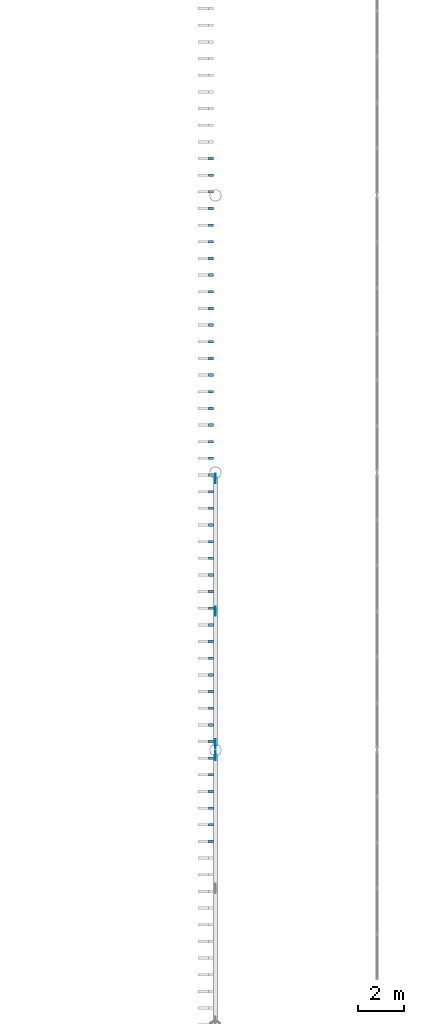
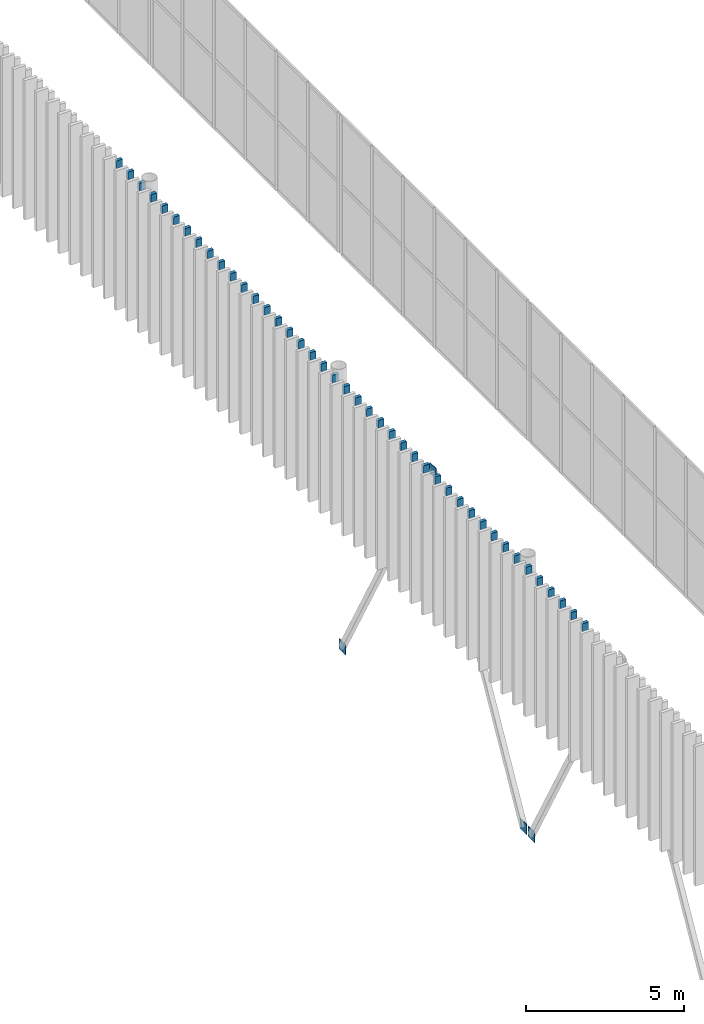
# One storey, part 133 of 170: 46 discrete accessories.
"""IFC4 building model written with IfcOpenShell, lengths in metres."""

from ifc_helpers import new_model, si_unit, direction, frame, origin, origin_2d, place, context, subcontext, project, spatial, rectangle, extrude, material, material_profile, profile_set, type_object, element, save


model = new_model("IFC4")

# Units and contexts
model_context = context("Model", 3, precision=1e-05, world=origin(), true_north=direction((0.0, 1.0)))
body_context = subcontext(model_context, "Body", "Model", "MODEL_VIEW")
ifc_project = project(units=[si_unit("LENGTHUNIT", "METRE"), si_unit("AREAUNIT", "SQUARE_METRE"), si_unit("VOLUMEUNIT", "CUBIC_METRE"), si_unit("PLANEANGLEUNIT", "RADIAN"), si_unit("MASSUNIT", "GRAM", prefix="KILO")], contexts=[model_context])

# Site, building, storey
site_placement = place(None, origin())
site = spatial("IfcSite", under=ifc_project, at=site_placement, CompositionType="ELEMENT")
building_placement = place(site_placement, origin())
building = spatial("IfcBuilding", under=site, at=building_placement, Name="Ravi Spectrum Wholesale Market", CompositionType="ELEMENT")
storey_placement = place(building_placement, frame((0.0, 0.0, 5.39990234375)))
storey = spatial("IfcBuildingStorey", under=building, at=storey_placement, Name="L01", CompositionType="ELEMENT", Elevation=5.39990234375)

# Discrete accessories
ifc_material_1 = material(Name="Steel S355", Category="steel")
discrete_accessory_type_1 = type_object("IfcDiscreteAccessoryType", Name="Fin bracket 120", PredefinedType="BRACKET", material=ifc_material_1)
for number, where, z_axis, x_axis, name in (
    (1, (29.800048828125, 139.5966796875, 4.89990234375), (0.0, 0.0, 1.0), (0.0, -1.0, 0.0), "Fin bracket B082"),
    (2, (29.800048828125, 138.87548828125, 4.89990234375), (0.0, 0.0, 1.0), (0.0, -1.0, 0.0), "Fin bracket B083"),
    (3, (29.800048828125, 138.154541015625, 4.89990234375), (0.0, 0.0, 1.0), (0.0, -1.0, 0.0), "Fin bracket B084"),
    (4, (29.800048828125, 137.43359375, 4.89990234375), (0.0, 0.0, 1.0), (0.0, -1.0, 0.0), "Fin bracket B085"),
    (5, (29.800048828125, 136.71240234375, 4.89990234375), (0.0, 0.0, 1.0), (0.0, -1.0, 0.0), "Fin bracket B086"),
    (6, (29.800048828125, 135.991455078125, 4.89990234375), (0.0, 0.0, 1.0), (0.0, -1.0, 0.0), "Fin bracket B087"),
    (7, (29.800048828125, 135.2705078125, 4.89990234375), (0.0, 0.0, 1.0), (0.0, -1.0, 0.0), "Fin bracket B088"),
    (8, (29.800048828125, 134.54931640625, 4.89990234375), (0.0, 0.0, 1.0), (0.0, -1.0, 0.0), "Fin bracket B089"),
    (9, (29.800048828125, 133.828369140625, 4.89990234375), (0.0, 0.0, 1.0), (0.0, -1.0, 0.0), "Fin bracket B090"),
    (10, (29.800048828125, 133.107177734375, 4.89990234375), (0.0, 0.0, 1.0), (0.0, -1.0, 0.0), "Fin bracket B091"),
    (11, (29.800048828125, 132.38623046875, 4.89990234375), (0.0, 0.0, 1.0), (0.0, -1.0, 0.0), "Fin bracket B092"),
    (12, (29.800048828125, 131.665283203125, 4.89990234375), (0.0, 0.0, 1.0), (0.0, -1.0, 0.0), "Fin bracket B093"),
    (13, (29.800048828125, 130.944091796875, 4.89990234375), (0.0, 0.0, 1.0), (0.0, -1.0, 0.0), "Fin bracket B094"),
    (14, (29.800048828125, 130.22314453125, 4.89990234375), (0.0, 0.0, 1.0), (0.0, -1.0, 0.0), "Fin bracket B095"),
    (15, (29.800048828125, 129.502197265625, 4.89990234375), (0.0, 0.0, 1.0), (0.0, -1.0, 0.0), "Fin bracket B096"),
    (16, (29.800048828125, 128.781005859375, 4.89990234375), (0.0, 0.0, 1.0), (0.0, -1.0, 0.0), "Fin bracket B097"),
    (17, (29.800048828125, 128.06005859375, 4.89990234375), (0.0, 0.0, 1.0), (0.0, -1.0, 0.0), "Fin bracket B098"),
    (18, (29.800048828125, 127.339111328125, 4.89990234375), (0.0, 0.0, 1.0), (0.0, -1.0, 0.0), "Fin bracket B099"),
    (19, (29.800048828125, 126.617919921875, 4.89990234375), (0.0, 0.0, 1.0), (0.0, -1.0, 0.0), "Fin bracket B100"),
    (20, (29.800048828125, 125.89697265625, 4.89990234375), (0.0, 0.0, 1.0), (0.0, -1.0, 0.0), "Fin bracket B101"),
    (21, (29.800048828125, 125.176025390625, 4.89990234375), (0.0, 0.0, 1.0), (0.0, -1.0, 0.0), "Fin bracket B102"),
    (22, (29.800048828125, 124.454833984375, 4.89990234375), (0.0, 0.0, 1.0), (0.0, -1.0, 0.0), "Fin bracket B103"),
    (23, (29.800048828125, 123.73388671875, 4.89990234375), (0.0, 0.0, 1.0), (0.0, -1.0, 0.0), "Fin bracket B104"),
    (24, (29.800048828125, 123.012939453125, 4.89990234375), (0.0, 0.0, 1.0), (0.0, -1.0, 0.0), "Fin bracket B105"),
    (25, (29.800048828125, 122.291748046875, 4.89990234375), (0.0, 0.0, 1.0), (0.0, -1.0, 0.0), "Fin bracket B106"),
    (26, (29.800048828125, 121.57080078125, 4.89990234375), (0.0, 0.0, 1.0), (0.0, -1.0, 0.0), "Fin bracket B107"),
    (27, (29.800048828125, 120.849853515625, 4.89990234375), (0.0, 0.0, 1.0), (0.0, -1.0, 0.0), "Fin bracket B108"),
    (28, (29.800048828125, 120.128662109375, 4.89990234375), (0.0, 0.0, 1.0), (0.0, -1.0, 0.0), "Fin bracket B109"),
    (29, (29.800048828125, 119.40771484375, 4.89990234375), (0.0, 0.0, 1.0), (0.0, -1.0, 0.0), "Fin bracket B110"),
    (30, (29.800048828125, 118.686767578125, 4.89990234375), (0.0, 0.0, 1.0), (0.0, -1.0, 0.0), "Fin bracket B111"),
    (31, (29.800048828125, 117.965576171875, 4.89990234375), (0.0, 0.0, 1.0), (0.0, -1.0, 0.0), "Fin bracket B112"),
    (32, (29.800048828125, 117.24462890625, 4.89990234375), (0.0, 0.0, 1.0), (0.0, -1.0, 0.0), "Fin bracket B113"),
    (33, (29.800048828125, 116.523681640625, 4.89990234375), (0.0, 0.0, 1.0), (0.0, -1.0, 0.0), "Fin bracket B114"),
    (34, (29.800048828125, 115.802490234375, 4.89990234375), (0.0, 0.0, 1.0), (0.0, -1.0, 0.0), "Fin bracket B115"),
    (35, (29.800048828125, 115.08154296875, 4.89990234375), (0.0, 0.0, 1.0), (0.0, -1.0, 0.0), "Fin bracket B116"),
    (36, (29.800048828125, 114.360595703125, 4.89990234375), (0.0, 0.0, 1.0), (0.0, -1.0, 0.0), "Fin bracket B117"),
    (37, (29.800048828125, 113.639404296875, 4.89990234375), (0.0, 0.0, 1.0), (0.0, -1.0, 0.0), "Fin bracket B118"),
    (38, (29.800048828125, 112.91845703125, 4.89990234375), (0.0, 0.0, 1.0), (0.0, -1.0, 0.0), "Fin bracket B119"),
    (39, (29.800048828125, 112.197509765625, 4.89990234375), (0.0, 0.0, 1.0), (0.0, -1.0, 0.0), "Fin bracket B120"),
    (40, (29.800048828125, 111.476318359375, 4.89990234375), (0.0, 0.0, 1.0), (0.0, -1.0, 0.0), "Fin bracket B121"),
    (41, (29.800048828125, 110.75537109375, 4.89990234375), (0.0, 0.0, 1.0), (0.0, -1.0, 0.0), "Fin bracket B122"),
    (42, (29.800048828125, 110.034423828125, 4.89990234375), (0.0, 0.0, 1.0), (0.0, -1.0, 0.0), "Fin bracket B123"),
):
    element("IfcDiscreteAccessory", number, at=place(storey_placement, frame(where, z_axis=z_axis, x_axis=x_axis)), inside=storey, type_object=discrete_accessory_type_1, Name=name, PredefinedType="BRACKET", context=body_context, shape_type="SweptSolid", body=[
        extrude(rectangle(XDim=0.1201171875, YDim=0.219970703125, at=origin_2d()), origin(), (0.0, 0.0, 1.0), 0.300048828125),
    ])
ifc_material_2 = material(Name="Steel S355", Category="steel")
ifc_material_profile = material_profile(ifc_material_2, rectangle(XDim=0.39990234375, YDim=0.02001953125, at=origin_2d()))
ifc_profile_set = profile_set([ifc_material_profile], Name="Steel S355")
discrete_accessory_type_2 = type_object("IfcDiscreteAccessoryType", Name="Gusset plate 400x400x20", PredefinedType="BRACKET", material=ifc_profile_set)
for number, where, z_axis, x_axis, name in (
    (43, (30.0, 113.74609375, -5.55078125), (0.0, 0.0, 1.0), (0.0, -1.0, 0.0), "Gusset plate"),
    (44, (30.0, 114.25390625, -5.55078125), (0.0, 0.0, 1.0), (0.0, 1.0, 0.0), "Gusset plate"),
):
    element("IfcDiscreteAccessory", number, at=place(storey_placement, frame(where, z_axis=z_axis, x_axis=x_axis)), inside=storey, type_object=discrete_accessory_type_2, Name=name, PredefinedType="BRACKET", context=body_context, shape_type="SweptSolid", body=[
        extrude(rectangle(XDim=0.39990234375, YDim=0.02001953125, at=origin_2d()), origin(), (0.0, 0.0, 1.0), 0.39990234375),
    ])
discrete_accessory_1_placement = place(storey_placement, frame((30.0, 120.0, 4.75), z_axis=(0.0, 0.0, 1.0), x_axis=(0.0, 1.0, 0.0)))
element("IfcDiscreteAccessory", 45, at=discrete_accessory_1_placement, inside=storey, type_object=discrete_accessory_type_2, Name="Gusset plate", PredefinedType="BRACKET", context=body_context, shape_type="SweptSolid", body=[
    extrude(rectangle(XDim=0.39990234375, YDim=0.02001953125, at=origin_2d()), origin(), (0.0, 0.0, 1.0), 0.400146484375),
])
discrete_accessory_2_placement = place(storey_placement, frame((30.0, 125.74609375, -5.55078125), z_axis=(0.0, 0.0, 1.0), x_axis=(0.0, -1.0, 0.0)))
element("IfcDiscreteAccessory", 46, at=discrete_accessory_2_placement, inside=storey, type_object=discrete_accessory_type_2, Name="Gusset plate", PredefinedType="BRACKET", context=body_context, shape_type="SweptSolid", body=[
    extrude(rectangle(XDim=0.39990234375, YDim=0.02001953125, at=origin_2d()), origin(), (0.0, 0.0, 1.0), 0.39990234375),
])

save(model, "model.ifc")
